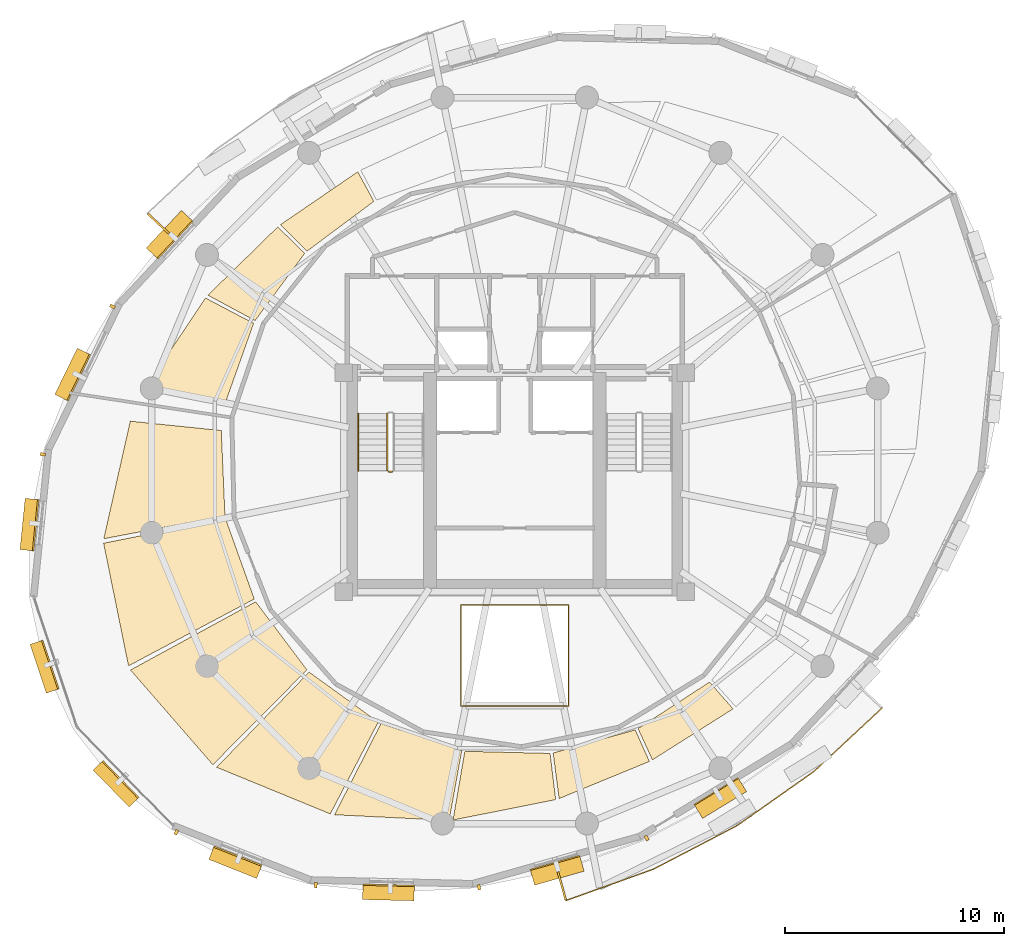
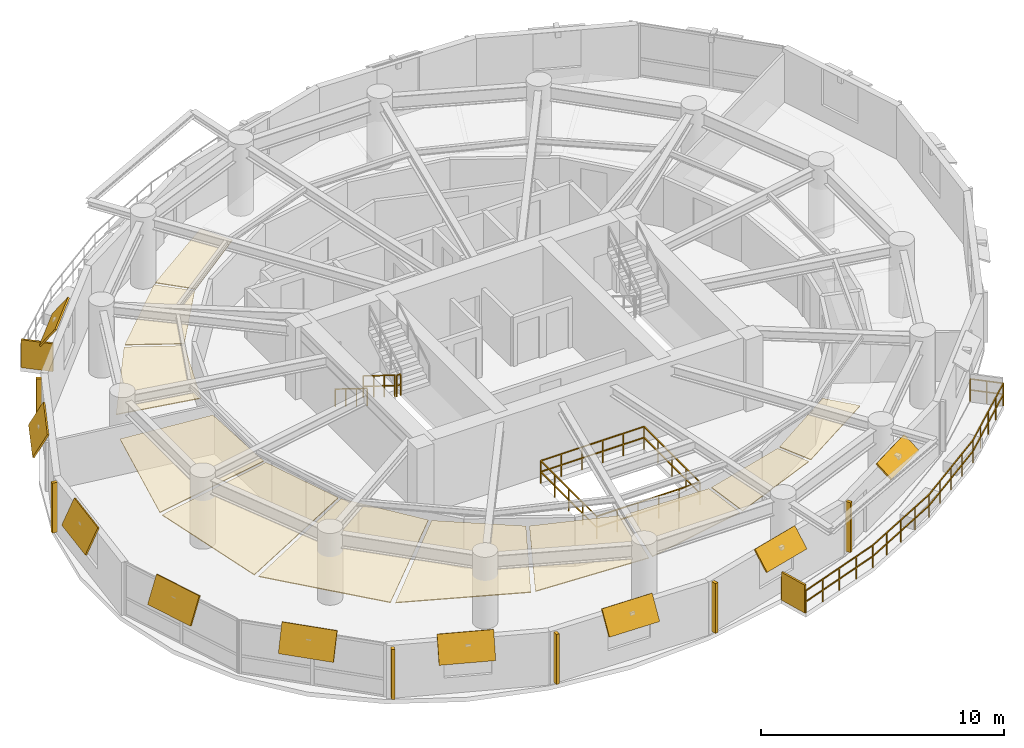
# One storey, part 13 of 15: 17 shading devices, 11 coverings, 5 railings.
"""IFC4 building model written with IfcOpenShell, lengths in metres."""

import ifcopenshell
import ifcopenshell.guid

model = None  # the IFC model being written
_history = None  # IfcOwnerHistory: only IFC2X3 demands one
_inside = {}  # id of a spatial element -> (the spatial element, [elements in it])
_under = {}  # id of a project, library or spatial element -> (it, [spatial elements below it])
_declared = {}  # id of a project -> (the project, [libraries it declares])
_typed = {}  # id of a type object -> (the type object, [elements of that type])
_made_of = {}  # id of a material, layer set ... -> (it, [elements and type objects made of it])


def new_model(schema):
    """Start an empty IFC model of exactly this schema.

    Asked for "IFC4X3", IfcOpenShell would pick the latest addendum, in which some entities
    have other attributes; the version numbers below select the first issue.
    IFC2X3 requires an IfcOwnerHistory on every rooted entity: one is made here for all.
    """
    global model, _history
    if schema == "IFC4X3":
        model = ifcopenshell.file(schema_version=(4, 3, 0, 0))
    else:
        model = ifcopenshell.file(schema=schema)
    _inside.clear()
    _under.clear()
    _declared.clear()
    _typed.clear()
    _made_of.clear()
    _history = None
    if model.schema == "IFC2X3":
        org = make("IfcOrganization", Name="unknown")
        user = make(
            "IfcPersonAndOrganization",
            ThePerson=make("IfcPerson", FamilyName="unknown"),
            TheOrganization=org,
        )
        app = make(
            "IfcApplication",
            ApplicationDeveloper=org,
            Version="unknown",
            ApplicationFullName="unknown",
            ApplicationIdentifier="unknown",
        )
        _history = make(
            "IfcOwnerHistory",
            OwningUser=user,
            OwningApplication=app,
            ChangeAction="ADDED",
            CreationDate=0,
        )
    return model


def make(cls, **values):
    """One entity of the class cls with the attributes given. An attribute that is None is left unset."""
    return model.create_entity(
        cls, **{name: value for name, value in values.items() if value is not None}
    )


def rooted(cls, **values):
    """An entity with a GlobalId (a new one), such as an element, a storey or a relation."""
    return make(cls, GlobalId=ifcopenshell.guid.new(), OwnerHistory=_history, **values)


def si_unit(unit_type, name, prefix=None):
    """IfcSIUnit, for example si_unit("LENGTHUNIT", "METRE", prefix="MILLI")."""
    return make("IfcSIUnit", UnitType=unit_type, Prefix=prefix, Name=name)


def assignment(units):
    """IfcUnitAssignment: the units of a project."""
    return None if units is None else make("IfcUnitAssignment", Units=units)


def point(xyz):
    """IfcCartesianPoint."""
    return None if xyz is None else make("IfcCartesianPoint", Coordinates=xyz)


def direction(xyz):
    """IfcDirection."""
    return None if xyz is None else make("IfcDirection", DirectionRatios=xyz)


def frame(location, z_axis=None, x_axis=None):
    """IfcAxis2Placement3D, a coordinate frame: its origin and axes. An axis left out is left unset."""
    return make(
        "IfcAxis2Placement3D",
        Location=point(location),
        Axis=direction(z_axis),
        RefDirection=direction(x_axis),
    )


def frame_2d(location, x_axis=None):
    """IfcAxis2Placement2D, a coordinate frame in the plane: its origin and x axis."""
    return make(
        "IfcAxis2Placement2D", Location=point(location), RefDirection=direction(x_axis)
    )


def origin():
    """The frame at (0, 0, 0) with its axes left unset."""
    return frame((0.0, 0.0, 0.0))


def origin_2d():
    """The frame at (0, 0) in the plane with its x axis left unset."""
    return frame_2d((0.0, 0.0))


def place(relative_to, where):
    """IfcLocalPlacement: puts the frame where relative to a parent placement (None: the world)."""
    return make(
        "IfcLocalPlacement", PlacementRelTo=relative_to, RelativePlacement=where
    )


def context(
    kind, dimensions, precision=None, world=None, true_north=None, identifier=None
):
    """IfcGeometricRepresentationContext, for example the 3D "Model" context."""
    return make(
        "IfcGeometricRepresentationContext",
        ContextIdentifier=identifier,
        ContextType=kind,
        CoordinateSpaceDimension=dimensions,
        Precision=precision,
        WorldCoordinateSystem=world,
        TrueNorth=true_north,
    )


def subcontext(parent, identifier, kind, view, scale=None):
    """IfcGeometricRepresentationSubContext, for example "Body" below "Model"."""
    return make(
        "IfcGeometricRepresentationSubContext",
        ContextIdentifier=identifier,
        ContextType=kind,
        ParentContext=parent,
        TargetScale=scale,
        TargetView=view,
    )


def project(units=None, contexts=None):
    """IfcProject with its units and contexts."""
    return rooted(
        "IfcProject",
        Name="project",
        RepresentationContexts=contexts,
        UnitsInContext=assignment(units),
    )


def spatial(cls, under=None, at=None, **own):
    """A site, building, storey or space (cls), placed at a placement, below another one or the project."""
    s = rooted(cls, ObjectPlacement=at, **own)
    if under is not None:
        _under.setdefault(under.id(), (under, []))[1].append(s)
    return s


def polyline(points):
    """IfcPolyline through the points."""
    return make("IfcPolyline", Points=[point(p) for p in points])


def profile(cls, at=None, kind="AREA", **sizes):
    """A parametric profile (cls). Its sizes go by their IFC names, for example OverallWidth=200.0."""
    return make(cls, ProfileType=kind, Position=at, **sizes)


def rectangle(**sizes):
    """IfcRectangleProfileDef."""
    return profile("IfcRectangleProfileDef", **sizes)


def outline(outer, holes=None, kind="AREA"):
    """IfcArbitraryClosedProfileDef: a profile drawn as a closed curve; with holes, ...WithVoids."""
    if holes is None:
        return make("IfcArbitraryClosedProfileDef", ProfileType=kind, OuterCurve=outer)
    return make(
        "IfcArbitraryProfileDefWithVoids",
        ProfileType=kind,
        OuterCurve=outer,
        InnerCurves=holes,
    )


def extrude(swept, where, along, depth):
    """IfcExtrudedAreaSolid: the profile swept, set in the frame where, extruded along a direction by depth."""
    return make(
        "IfcExtrudedAreaSolid",
        SweptArea=swept,
        Position=where,
        ExtrudedDirection=direction(along),
        Depth=depth,
    )


def shape(context_of_items, identifier, shape_type, items):
    """IfcShapeRepresentation: the items that make up one representation, for example the "Body"."""
    return make(
        "IfcShapeRepresentation",
        ContextOfItems=context_of_items,
        RepresentationIdentifier=identifier,
        RepresentationType=shape_type,
        Items=items,
    )


def material(Name=None, Category=None):
    """IfcMaterial."""
    return make("IfcMaterial", Name=Name, Category=Category)


def layer(
    of_material, thickness, ventilated=None, Name=None, Category=None, Priority=None
):
    """IfcMaterialLayer: one layer of a wall or slab, of a material (None: an air gap)."""
    return make(
        "IfcMaterialLayer",
        Material=of_material,
        LayerThickness=thickness,
        IsVentilated=ventilated,
        Name=Name,
        Category=Category,
        Priority=Priority,
    )


def layer_set(layers, Name=None):
    """IfcMaterialLayerSet."""
    return make("IfcMaterialLayerSet", MaterialLayers=layers, LayerSetName=Name)


def made_of(thing, what):
    """Note that an element or type object is made of a material, layer set ...; save() writes the relation."""
    if what is not None:
        _made_of.setdefault(what.id(), (what, []))[1].append(thing)
    return thing


def type_object(cls, material=None, **own):
    """A type object (cls), such as IfcWallType, which elements share."""
    return made_of(rooted(cls, **own), material)


def element(
    cls,
    number,
    at=None,
    inside=None,
    cuts=None,
    type_object=None,
    material=None,
    context=None,
    identifier="Body",
    shape_type=None,
    held_by="IfcProductDefinitionShape",
    body=None,
    shapes=None,
    **own,
):
    """One element of the class cls, such as IfcWall. Its Tag is "e" and its number.

    at: its placement. inside: the storey or other place that contains it. cuts: it is an
    opening in that element (IfcRelVoidsElement). A single representation is given by context,
    identifier, shape_type and body (its items); several are given by shapes. held_by: the class
    of the entity that holds the representations. save() writes the other relations.
    """
    e = rooted(cls, Tag="e%d" % number, ObjectPlacement=at, **own)
    if body is not None:
        shapes = [shape(context, identifier, shape_type, body)]
    if shapes is not None:
        e.Representation = make(held_by, Representations=shapes)
    if inside is not None:
        _inside.setdefault(inside.id(), (inside, []))[1].append(e)
    if cuts is not None:
        rooted(
            "IfcRelVoidsElement", RelatingBuildingElement=cuts, RelatedOpeningElement=e
        )
    if type_object is not None:
        _typed.setdefault(type_object.id(), (type_object, []))[1].append(e)
    return made_of(e, material)


def aggregate(whole, parts):
    """IfcRelAggregates: a whole, such as a stair, and the parts it consists of."""
    return rooted("IfcRelAggregates", RelatingObject=whole, RelatedObjects=parts)


def save(model, path):
    """Write the relations noted so far, then the file.

    IfcRelAggregates (storeys below a building ...), IfcRelContainedInSpatialStructure (elements
    in a storey), IfcRelDefinesByType, IfcRelAssociatesMaterial and IfcRelDeclares: one each for
    every whole, place, type object, material and project.
    """
    for whole, parts in _under.values():
        aggregate(whole, parts)
    for where, things in _inside.values():
        rooted(
            "IfcRelContainedInSpatialStructure",
            RelatedElements=things,
            RelatingStructure=where,
        )
    for kind, things in _typed.values():
        rooted("IfcRelDefinesByType", RelatedObjects=things, RelatingType=kind)
    for what, things in _made_of.values():
        rooted("IfcRelAssociatesMaterial", RelatedObjects=things, RelatingMaterial=what)
    for by, libraries in _declared.values():
        rooted("IfcRelDeclares", RelatingContext=by, RelatedDefinitions=libraries)
    model.write(path)


model = new_model("IFC4")

# Units and contexts
model_context = context("Model", 3, precision=1e-05, world=origin(), true_north=direction((0.0, 1.0)))
body_context = subcontext(model_context, "Body", "Model", "MODEL_VIEW")
ifc_project = project(units=[si_unit("LENGTHUNIT", "METRE"), si_unit("AREAUNIT", "SQUARE_METRE"), si_unit("VOLUMEUNIT", "CUBIC_METRE"), si_unit("PLANEANGLEUNIT", "RADIAN"), si_unit("MASSUNIT", "GRAM", prefix="KILO"), si_unit("THERMODYNAMICTEMPERATUREUNIT", "KELVIN"), si_unit("POWERUNIT", "WATT")], contexts=[model_context])

# Site, building, storey
site_placement = place(None, origin())
site = spatial("IfcSite", under=ifc_project, at=site_placement, CompositionType="ELEMENT")
building_placement = place(site_placement, origin())
building = spatial("IfcBuilding", under=site, at=building_placement, Name="Ocrelia Relay Tower", CompositionType="ELEMENT")
storey_placement = place(building_placement, frame((0.0, 0.0, 166.39990234375)))
storey = spatial("IfcBuildingStorey", under=building, at=storey_placement, Name="L39", CompositionType="ELEMENT", Elevation=166.39990234375)

# Coverings
ifc_material_1 = material(Name="Mineral-fiber acoustic ceiling tile", Category="gypsum")
ifc_layer_1 = layer(ifc_material_1, 0.0400390625, Name="Mineral-fiber acoustic ceiling tile")
ifc_layer_set_1 = layer_set([ifc_layer_1], Name="Mineral-fiber acoustic ceiling tile")
covering_type_1 = type_object("IfcCoveringType", Name="COV-CEIL-ACOUSTIC", PredefinedType="CEILING", material=ifc_layer_set_1)
covering_1_placement = place(storey_placement, frame((0.0, 0.0, 2.380126953125)))
element("IfcCovering", 1, at=covering_1_placement, inside=storey, type_object=covering_type_1, Name="L39 Cloud Engineering Workspace Suspended Ceiling 6", PredefinedType="CEILING", context=body_context, shape_type="SweptSolid", body=[
    extrude(outline(polyline([(27.5673828125, 37.8349609375), (26.8330078125, 39.18603515625), (23.302978515625, 36.771728515625), (24.508544921875, 35.557861328125), (27.5673828125, 37.8349609375)])), origin(), (0.0, 0.0, 1.0), 0.0400390625),
])
covering_2_placement = place(storey_placement, frame((0.0, 0.0, 2.380126953125)))
element("IfcCovering", 2, at=covering_2_placement, inside=storey, type_object=covering_type_1, Name="L39 Cloud Engineering Workspace Suspended Ceiling 7", PredefinedType="CEILING", context=body_context, shape_type="SweptSolid", body=[
    extrude(outline(polyline([(24.408935546875, 35.4580078125), (23.17919921875, 36.6708984375), (19.99169921875, 33.550537109375), (22.142822265625, 32.39111328125), (24.408935546875, 35.4580078125)])), origin(), (0.0, 0.0, 1.0), 0.0400390625),
])
covering_3_placement = place(storey_placement, frame((0.0, 0.0, 2.380126953125)))
element("IfcCovering", 3, at=covering_3_placement, inside=storey, type_object=covering_type_1, Name="L39 Cloud Engineering Workspace Suspended Ceiling 8", PredefinedType="CEILING", context=body_context, shape_type="SweptSolid", body=[
    extrude(outline(polyline([(22.076416015625, 32.2666015625), (19.88134765625, 33.42041015625), (17.185546875, 29.405517578125), (20.798095703125, 28.674072265625), (22.076416015625, 32.2666015625)])), origin(), (0.0, 0.0, 1.0), 0.0400390625),
])
ifc_material_2 = material(Name="Cleanroom metal-pan acoustic ceiling", Category="aluminium")
ifc_layer_2 = layer(ifc_material_2, 0.0400390625, Name="Cleanroom metal-pan acoustic ceiling")
ifc_layer_set_2 = layer_set([ifc_layer_2], Name="Cleanroom metal-pan acoustic ceiling")
covering_type_2 = type_object("IfcCoveringType", Name="COV-CEIL-CLEAN", PredefinedType="CEILING", material=ifc_layer_set_2)
covering_4_placement = place(storey_placement, frame((0.0, 0.0, 2.380126953125)))
element("IfcCovering", 4, at=covering_4_placement, inside=storey, type_object=covering_type_2, Name="L39 Protocol Simulation Studio Suspended Ceiling 1", PredefinedType="CEILING", context=body_context, shape_type="SweptSolid", body=[
    extrude(outline(polyline([(20.60009765625, 27.372802734375), (16.44384765625, 27.798828125), (15.2333984375, 22.429443359375), (20.767333984375, 23.482421875), (20.60009765625, 27.372802734375)])), origin(), (0.0, 0.0, 1.0), 0.0400390625),
])
covering_5_placement = place(storey_placement, frame((0.0, 0.0, 2.380126953125)))
element("IfcCovering", 5, at=covering_5_placement, inside=storey, type_object=covering_type_2, Name="L39 Protocol Simulation Studio Suspended Ceiling 2", PredefinedType="CEILING", context=body_context, shape_type="SweptSolid", body=[
    extrude(outline(polyline([(20.79443359375, 23.343994140625), (15.226318359375, 22.22412109375), (16.363525390625, 16.624755859375), (22.106201171875, 19.677490234375), (20.79443359375, 23.343994140625)])), origin(), (0.0, 0.0, 1.0), 0.0400390625),
])
covering_6_placement = place(storey_placement, frame((0.0, 0.0, 2.380126953125)))
element("IfcCovering", 6, at=covering_6_placement, inside=storey, type_object=covering_type_2, Name="L39 Protocol Simulation Studio Suspended Ceiling 3", PredefinedType="CEILING", context=body_context, shape_type="SweptSolid", body=[
    extrude(outline(polyline([(22.1728515625, 19.55322265625), (16.455078125, 16.4365234375), (20.216064453125, 12.111328125), (24.511474609375, 16.439208984375), (22.1728515625, 19.55322265625)])), origin(), (0.0, 0.0, 1.0), 0.0400390625),
])
covering_7_placement = place(storey_placement, frame((0.0, 0.0, 2.380126953125)))
element("IfcCovering", 7, at=covering_7_placement, inside=storey, type_object=covering_type_2, Name="L39 Protocol Simulation Studio Suspended Ceiling 4", PredefinedType="CEILING", context=body_context, shape_type="SweptSolid", body=[
    extrude(outline(polyline([(24.612060546875, 16.340576171875), (20.38720703125, 11.99365234375), (25.578369140625, 9.864013671875), (27.767578125, 14.05859375), (24.612060546875, 16.340576171875)])), origin(), (0.0, 0.0, 1.0), 0.0400390625),
])
covering_8_placement = place(storey_placement, frame((0.0, 0.0, 2.380126953125)))
element("IfcCovering", 8, at=covering_8_placement, inside=storey, type_object=covering_type_2, Name="L39 Protocol Simulation Studio Suspended Ceiling 5", PredefinedType="CEILING", context=body_context, shape_type="SweptSolid", body=[
    extrude(outline(polyline([(27.892822265625, 13.993896484375), (25.772216796875, 9.8251953125), (31.002197265625, 9.568115234375), (31.58251953125, 12.748779296875), (27.892822265625, 13.993896484375)])), origin(), (0.0, 0.0, 1.0), 0.0400390625),
])
covering_9_placement = place(storey_placement, frame((0.0, 0.0, 2.380126953125)))
element("IfcCovering", 9, at=covering_9_placement, inside=storey, type_object=covering_type_2, Name="L39 Protocol Simulation Studio Suspended Ceiling 6", PredefinedType="CEILING", context=body_context, shape_type="SweptSolid", body=[
    extrude(outline(polyline([(31.721435546875, 12.72412109375), (31.1826171875, 9.583984375), (35.869140625, 10.515869140625), (35.614501953125, 12.627197265625), (31.721435546875, 12.72412109375)])), origin(), (0.0, 0.0, 1.0), 0.0400390625),
])
covering_10_placement = place(storey_placement, frame((0.0, 0.0, 2.380126953125)))
element("IfcCovering", 10, at=covering_10_placement, inside=storey, type_object=covering_type_2, Name="L39 Protocol Simulation Studio Suspended Ceiling 7", PredefinedType="CEILING", context=body_context, shape_type="SweptSolid", body=[
    extrude(outline(polyline([(35.75439453125, 12.644775390625), (36.027587890625, 10.564697265625), (40.147705078125, 12.26025390625), (39.50146484375, 13.70458984375), (35.75439453125, 12.644775390625)])), origin(), (0.0, 0.0, 1.0), 0.0400390625),
])
covering_11_placement = place(storey_placement, frame((0.0, 0.0, 2.380126953125)))
element("IfcCovering", 11, at=covering_11_placement, inside=storey, type_object=covering_type_2, Name="L39 Protocol Simulation Studio Suspended Ceiling 8", PredefinedType="CEILING", context=body_context, shape_type="SweptSolid", body=[
    extrude(outline(polyline([(39.6298828125, 13.762939453125), (40.287841796875, 12.3330078125), (43.97119140625, 14.6611328125), (42.89501953125, 15.884765625), (39.6298828125, 13.762939453125)])), origin(), (0.0, 0.0, 1.0), 0.0400390625),
])

# Railings
ifc_material_3 = material(Name="Steel S355 balustrade", Category="steel")
railing_type_1 = type_object("IfcRailingType", Name="RL-EXT-GUARD-1150", PredefinedType="GUARDRAIL", material=ifc_material_3)
railing_1_placement = place(storey_placement, frame((49.76416015625, 15.653564453125, 0.0)))
element("IfcRailing", 12, at=railing_1_placement, inside=storey, type_object=railing_type_1, Name="L39 Loggia Balcony Guard Rail B2", PredefinedType="GUARDRAIL", context=body_context, shape_type="SweptSolid", body=[
    extrude(rectangle(XDim=0.048095703125, YDim=0.048095703125, at=origin_2d()), frame((0.0, 0.0, 1.1259765625), z_axis=(0.731294097738, -0.6820622718, 0.0), x_axis=(0.6820622718, 0.731294097738, 0.0)), (0.0, 0.0, 1.0), 1.3935546875),
    extrude(rectangle(XDim=0.048095703125, YDim=0.048095703125, at=origin_2d()), frame((0.0, 0.0, 0.574951171875), z_axis=(0.731294097738, -0.6820622718, 0.0), x_axis=(0.6820622718, 0.731294097738, 0.0)), (0.0, 0.0, 1.0), 1.3935546875),
    extrude(rectangle(XDim=0.048095703125, YDim=0.048095703125, at=origin_2d()), frame((1.01904296875, -0.950439453125, 1.1259765625), z_axis=(-0.731856461908, -0.681458816924, 0.0), x_axis=(0.681458816924, -0.731856461908, 0.0)), (0.0, 0.0, 1.0), 2.126708984375),
    extrude(rectangle(XDim=0.048095703125, YDim=0.048095703125, at=origin_2d()), frame((1.01904296875, -0.950439453125, 0.574951171875), z_axis=(-0.731856461908, -0.681458816924, 0.0), x_axis=(0.681458816924, -0.731856461908, 0.0)), (0.0, 0.0, 1.0), 2.126708984375),
    extrude(rectangle(XDim=0.048095703125, YDim=0.048095703125, at=origin_2d()), frame((-0.537353515625, -2.399658203125, 1.1259765625), z_axis=(-0.731745884926, -0.68157755237, 0.0), x_axis=(0.68157755237, -0.731745884926, 0.0)), (0.0, 0.0, 1.0), 2.126708984375),
    extrude(rectangle(XDim=0.048095703125, YDim=0.048095703125, at=origin_2d()), frame((-0.537353515625, -2.399658203125, 0.574951171875), z_axis=(-0.731745884926, -0.68157755237, 0.0), x_axis=(0.68157755237, -0.731745884926, 0.0)), (0.0, 0.0, 1.0), 2.126708984375),
    extrude(rectangle(XDim=0.048095703125, YDim=0.048095703125, at=origin_2d()), frame((-2.093505859375, -3.84912109375, 1.1259765625), z_axis=(-0.817271506757, -0.576252795432, 0.0), x_axis=(0.576252795432, -0.817271506757, 0.0)), (0.0, 0.0, 1.0), 4.299072265625),
    extrude(rectangle(XDim=0.048095703125, YDim=0.048095703125, at=origin_2d()), frame((-2.093505859375, -3.84912109375, 0.574951171875), z_axis=(-0.817271506757, -0.576252795432, 0.0), x_axis=(0.576252795432, -0.817271506757, 0.0)), (0.0, 0.0, 1.0), 4.299072265625),
    extrude(rectangle(XDim=0.048095703125, YDim=0.048095703125, at=origin_2d()), frame((-5.60693359375, -6.326416015625, 1.1259765625), z_axis=(-0.88692280877, -0.461917667213, 0.0), x_axis=(0.461917667213, -0.88692280877, 0.0)), (0.0, 0.0, 1.0), 4.299072265625),
    extrude(rectangle(XDim=0.048095703125, YDim=0.048095703125, at=origin_2d()), frame((-5.60693359375, -6.326416015625, 0.574951171875), z_axis=(-0.88692280877, -0.461917667213, 0.0), x_axis=(0.461917667213, -0.88692280877, 0.0)), (0.0, 0.0, 1.0), 4.299072265625),
    extrude(rectangle(XDim=0.048095703125, YDim=0.048095703125, at=origin_2d()), frame((-9.419921875, -8.312255859375, 1.1259765625), z_axis=(-0.941239592632, -0.33773958794, 0.0), x_axis=(0.33773958794, -0.941239592632, 0.0)), (0.0, 0.0, 1.0), 2.126708984375),
    extrude(rectangle(XDim=0.048095703125, YDim=0.048095703125, at=origin_2d()), frame((-9.419921875, -8.312255859375, 0.574951171875), z_axis=(-0.941239592632, -0.33773958794, 0.0), x_axis=(0.33773958794, -0.941239592632, 0.0)), (0.0, 0.0, 1.0), 2.126708984375),
    extrude(rectangle(XDim=0.048095703125, YDim=0.048095703125, at=origin_2d()), frame((-11.421630859375, -9.030517578125, 1.1259765625), z_axis=(-0.941239592632, -0.33773958794, 0.0), x_axis=(0.33773958794, -0.941239592632, 0.0)), (0.0, 0.0, 1.0), 2.126708984375),
    extrude(rectangle(XDim=0.048095703125, YDim=0.048095703125, at=origin_2d()), frame((-11.421630859375, -9.030517578125, 0.574951171875), z_axis=(-0.941239592632, -0.33773958794, 0.0), x_axis=(0.33773958794, -0.941239592632, 0.0)), (0.0, 0.0, 1.0), 2.126708984375),
    extrude(rectangle(XDim=0.048095703125, YDim=0.048095703125, at=origin_2d()), frame((-13.42333984375, -9.748779296875, 1.1259765625), z_axis=(-0.270669475179, 0.962672340522, 0.0), x_axis=(-0.962672340522, -0.270669475179, 0.0)), (0.0, 0.0, 1.0), 1.3935546875),
    extrude(rectangle(XDim=0.048095703125, YDim=0.048095703125, at=origin_2d()), frame((-13.42333984375, -9.748779296875, 0.574951171875), z_axis=(-0.270669475179, 0.962672340522, 0.0), x_axis=(-0.962672340522, -0.270669475179, 0.0)), (0.0, 0.0, 1.0), 1.3935546875),
    extrude(rectangle(XDim=0.0419921875, YDim=0.0419921875, at=origin_2d()), origin(), (0.0, 0.0, 1.0), 1.101806640625),
    extrude(rectangle(XDim=0.0419921875, YDim=0.0419921875, at=origin_2d()), frame((0.509521484375, -0.47509765625, 0.0)), (0.0, 0.0, 1.0), 1.101806640625),
    extrude(rectangle(XDim=0.0419921875, YDim=0.0419921875, at=origin_2d()), frame((1.01904296875, -0.950439453125, 0.0)), (0.0, 0.0, 1.0), 1.101806640625),
    extrude(rectangle(XDim=0.0419921875, YDim=0.0419921875, at=origin_2d()), frame((0.24072265625, -1.675048828125, 0.0)), (0.0, 0.0, 1.0), 1.101806640625),
    extrude(rectangle(XDim=0.0419921875, YDim=0.0419921875, at=origin_2d()), frame((-0.537353515625, -2.399658203125, 0.0)), (0.0, 0.0, 1.0), 1.101806640625),
    extrude(rectangle(XDim=0.0419921875, YDim=0.0419921875, at=origin_2d()), frame((-1.3154296875, -3.12451171875, 0.0)), (0.0, 0.0, 1.0), 1.101806640625),
    extrude(rectangle(XDim=0.0419921875, YDim=0.0419921875, at=origin_2d()), frame((-2.093505859375, -3.84912109375, 0.0)), (0.0, 0.0, 1.0), 1.101806640625),
    extrude(rectangle(XDim=0.0419921875, YDim=0.0419921875, at=origin_2d()), frame((-2.971923828125, -4.468505859375, 0.0)), (0.0, 0.0, 1.0), 1.101806640625),
    extrude(rectangle(XDim=0.0419921875, YDim=0.0419921875, at=origin_2d()), frame((-3.85009765625, -5.087890625, 0.0)), (0.0, 0.0, 1.0), 1.101806640625),
    extrude(rectangle(XDim=0.0419921875, YDim=0.0419921875, at=origin_2d()), frame((-4.728515625, -5.70703125, 0.0)), (0.0, 0.0, 1.0), 1.101806640625),
    extrude(rectangle(XDim=0.0419921875, YDim=0.0419921875, at=origin_2d()), frame((-5.60693359375, -6.326416015625, 0.0)), (0.0, 0.0, 1.0), 1.101806640625),
    extrude(rectangle(XDim=0.0419921875, YDim=0.0419921875, at=origin_2d()), frame((-6.56005859375, -6.82275390625, 0.0)), (0.0, 0.0, 1.0), 1.101806640625),
    extrude(rectangle(XDim=0.0419921875, YDim=0.0419921875, at=origin_2d()), frame((-7.513427734375, -7.3193359375, 0.0)), (0.0, 0.0, 1.0), 1.101806640625),
    extrude(rectangle(XDim=0.0419921875, YDim=0.0419921875, at=origin_2d()), frame((-8.466796875, -7.81591796875, 0.0)), (0.0, 0.0, 1.0), 1.101806640625),
    extrude(rectangle(XDim=0.0419921875, YDim=0.0419921875, at=origin_2d()), frame((-9.419921875, -8.312255859375, 0.0)), (0.0, 0.0, 1.0), 1.101806640625),
    extrude(rectangle(XDim=0.0419921875, YDim=0.0419921875, at=origin_2d()), frame((-10.4208984375, -8.67138671875, 0.0)), (0.0, 0.0, 1.0), 1.101806640625),
    extrude(rectangle(XDim=0.0419921875, YDim=0.0419921875, at=origin_2d()), frame((-11.421630859375, -9.030517578125, 0.0)), (0.0, 0.0, 1.0), 1.101806640625),
    extrude(rectangle(XDim=0.0419921875, YDim=0.0419921875, at=origin_2d()), frame((-12.42236328125, -9.3896484375, 0.0)), (0.0, 0.0, 1.0), 1.101806640625),
    extrude(rectangle(XDim=0.0419921875, YDim=0.0419921875, at=origin_2d()), frame((-13.42333984375, -9.748779296875, 0.0)), (0.0, 0.0, 1.0), 1.101806640625),
    extrude(rectangle(XDim=0.0419921875, YDim=0.0419921875, at=origin_2d()), frame((-13.61181640625, -9.078125, 0.0)), (0.0, 0.0, 1.0), 1.101806640625),
    extrude(rectangle(XDim=0.0419921875, YDim=0.0419921875, at=origin_2d()), frame((-13.800537109375, -8.4072265625, 0.0)), (0.0, 0.0, 1.0), 1.101806640625),
])
ifc_material_4 = material(Name="Steel S355 atrium balustrade", Category="steel")
railing_type_2 = type_object("IfcRailingType", Name="RL-INT-GUARD-115", PredefinedType="GUARDRAIL", material=ifc_material_4)
railing_2_placement = place(storey_placement, frame((31.550048828125, 14.800048828125, 0.0)))
element("IfcRailing", 13, at=railing_2_placement, inside=storey, type_object=railing_type_2, Name="L39 Multi-Zone Interior Atrium Guard", PredefinedType="GUARDRAIL", context=body_context, shape_type="SweptSolid", body=[
    extrude(rectangle(XDim=0.048095703125, YDim=0.048095703125, at=origin_2d()), frame((0.0, 0.0, 1.1259765625), z_axis=(1.0, 0.0, 0.0), x_axis=(0.0, 1.0, 0.0)), (0.0, 0.0, 1.0), 4.89990234375),
    extrude(rectangle(XDim=0.048095703125, YDim=0.048095703125, at=origin_2d()), frame((0.0, 0.0, 0.574951171875), z_axis=(1.0, 0.0, 0.0), x_axis=(0.0, 1.0, 0.0)), (0.0, 0.0, 1.0), 4.89990234375),
    extrude(rectangle(XDim=0.048095703125, YDim=0.048095703125, at=origin_2d()), frame((4.89990234375, 0.0, 1.1259765625), z_axis=(0.0, 1.0, 0.0), x_axis=(-1.0, 0.0, 0.0)), (0.0, 0.0, 1.0), 4.599853515625),
    extrude(rectangle(XDim=0.048095703125, YDim=0.048095703125, at=origin_2d()), frame((4.89990234375, 0.0, 0.574951171875), z_axis=(0.0, 1.0, 0.0), x_axis=(-1.0, 0.0, 0.0)), (0.0, 0.0, 1.0), 4.599853515625),
    extrude(rectangle(XDim=0.048095703125, YDim=0.048095703125, at=origin_2d()), frame((4.89990234375, 4.599853515625, 1.1259765625), z_axis=(-1.0, 0.0, 0.0), x_axis=(0.0, -1.0, 0.0)), (0.0, 0.0, 1.0), 4.89990234375),
    extrude(rectangle(XDim=0.048095703125, YDim=0.048095703125, at=origin_2d()), frame((4.89990234375, 4.599853515625, 0.574951171875), z_axis=(-1.0, 0.0, 0.0), x_axis=(0.0, -1.0, 0.0)), (0.0, 0.0, 1.0), 4.89990234375),
    extrude(rectangle(XDim=0.048095703125, YDim=0.048095703125, at=origin_2d()), frame((0.0, 4.599853515625, 1.1259765625), z_axis=(0.0, -1.0, 0.0), x_axis=(1.0, 0.0, 0.0)), (0.0, 0.0, 1.0), 4.599853515625),
    extrude(rectangle(XDim=0.048095703125, YDim=0.048095703125, at=origin_2d()), frame((0.0, 4.599853515625, 0.574951171875), z_axis=(0.0, -1.0, 0.0), x_axis=(1.0, 0.0, 0.0)), (0.0, 0.0, 1.0), 4.599853515625),
    extrude(rectangle(XDim=0.0419921875, YDim=0.0419921875, at=origin_2d()), origin(), (0.0, 0.0, 1.0), 1.101806640625),
    extrude(rectangle(XDim=0.0419921875, YDim=0.0419921875, at=origin_2d()), frame((0.97998046875, 0.0, 0.0)), (0.0, 0.0, 1.0), 1.101806640625),
    extrude(rectangle(XDim=0.0419921875, YDim=0.0419921875, at=origin_2d()), frame((1.9599609375, 0.0, 0.0)), (0.0, 0.0, 1.0), 1.101806640625),
    extrude(rectangle(XDim=0.0419921875, YDim=0.0419921875, at=origin_2d()), frame((2.93994140625, 0.0, 0.0)), (0.0, 0.0, 1.0), 1.101806640625),
    extrude(rectangle(XDim=0.0419921875, YDim=0.0419921875, at=origin_2d()), frame((3.919921875, 0.0, 0.0)), (0.0, 0.0, 1.0), 1.101806640625),
    extrude(rectangle(XDim=0.0419921875, YDim=0.0419921875, at=origin_2d()), frame((4.89990234375, 0.0, 0.0)), (0.0, 0.0, 1.0), 1.101806640625),
    extrude(rectangle(XDim=0.0419921875, YDim=0.0419921875, at=origin_2d()), frame((4.89990234375, 1.14990234375, 0.0)), (0.0, 0.0, 1.0), 1.101806640625),
    extrude(rectangle(XDim=0.0419921875, YDim=0.0419921875, at=origin_2d()), frame((4.89990234375, 2.2998046875, 0.0)), (0.0, 0.0, 1.0), 1.101806640625),
    extrude(rectangle(XDim=0.0419921875, YDim=0.0419921875, at=origin_2d()), frame((4.89990234375, 3.449951171875, 0.0)), (0.0, 0.0, 1.0), 1.101806640625),
    extrude(rectangle(XDim=0.0419921875, YDim=0.0419921875, at=origin_2d()), frame((4.89990234375, 4.599853515625, 0.0)), (0.0, 0.0, 1.0), 1.101806640625),
    extrude(rectangle(XDim=0.0419921875, YDim=0.0419921875, at=origin_2d()), frame((3.919921875, 4.599853515625, 0.0)), (0.0, 0.0, 1.0), 1.101806640625),
    extrude(rectangle(XDim=0.0419921875, YDim=0.0419921875, at=origin_2d()), frame((2.93994140625, 4.599853515625, 0.0)), (0.0, 0.0, 1.0), 1.101806640625),
    extrude(rectangle(XDim=0.0419921875, YDim=0.0419921875, at=origin_2d()), frame((1.9599609375, 4.599853515625, 0.0)), (0.0, 0.0, 1.0), 1.101806640625),
    extrude(rectangle(XDim=0.0419921875, YDim=0.0419921875, at=origin_2d()), frame((0.97998046875, 4.599853515625, 0.0)), (0.0, 0.0, 1.0), 1.101806640625),
    extrude(rectangle(XDim=0.0419921875, YDim=0.0419921875, at=origin_2d()), frame((0.0, 4.599853515625, 0.0)), (0.0, 0.0, 1.0), 1.101806640625),
    extrude(rectangle(XDim=0.0419921875, YDim=0.0419921875, at=origin_2d()), frame((0.0, 3.449951171875, 0.0)), (0.0, 0.0, 1.0), 1.101806640625),
    extrude(rectangle(XDim=0.0419921875, YDim=0.0419921875, at=origin_2d()), frame((0.0, 2.2998046875, 0.0)), (0.0, 0.0, 1.0), 1.101806640625),
    extrude(rectangle(XDim=0.0419921875, YDim=0.0419921875, at=origin_2d()), frame((0.0, 1.14990234375, 0.0)), (0.0, 0.0, 1.0), 1.101806640625),
])
railing_type_3 = type_object("IfcRailingType", Name="RL-STAIR-GUARD", PredefinedType="GUARDRAIL", material=ifc_material_3)
railing_3_placement = place(storey_placement, frame((28.179931640625, 28.14990234375, 0.18017578125)))
element("IfcRailing", 14, at=railing_3_placement, inside=storey, type_object=railing_type_3, Name="L39 ST1 stair guard 1", PredefinedType="GUARDRAIL", context=body_context, shape_type="SweptSolid", body=[
    extrude(rectangle(XDim=0.048095703125, YDim=0.048095703125, at=origin_2d()), frame((0.0, 0.0, 1.076171875), z_axis=(0.0, -0.849646306263, 0.527352969322), x_axis=(1.0, 0.0, 0.0)), (0.0, 0.0, 1.0), 3.07177734375),
    extrude(rectangle(XDim=0.048095703125, YDim=0.048095703125, at=origin_2d()), frame((0.0, 0.0, 0.550048828125), z_axis=(0.0, -0.849646306263, 0.527352969322), x_axis=(1.0, 0.0, 0.0)), (0.0, 0.0, 1.0), 3.07177734375),
    extrude(rectangle(XDim=0.0419921875, YDim=0.0419921875, at=origin_2d()), origin(), (0.0, 0.0, 1.0), 1.052001953125),
    extrude(rectangle(XDim=0.0419921875, YDim=0.0419921875, at=origin_2d()), frame((0.0, -0.869873046875, 0.5400390625)), (0.0, 0.0, 1.0), 1.052001953125),
    extrude(rectangle(XDim=0.0419921875, YDim=0.0419921875, at=origin_2d()), frame((0.0, -1.739990234375, 1.079833984375)), (0.0, 0.0, 1.0), 1.052001953125),
    extrude(rectangle(XDim=0.0419921875, YDim=0.0419921875, at=origin_2d()), frame((0.0, -2.60986328125, 1.619873046875)), (0.0, 0.0, 1.0), 1.052001953125),
])
railing_4_placement = place(storey_placement, frame((28.22998046875, 25.489990234375, 1.800048828125)))
element("IfcRailing", 15, at=railing_4_placement, inside=storey, type_object=railing_type_3, Name="L39 ST1 stair guard 2", PredefinedType="GUARDRAIL", context=body_context, shape_type="SweptSolid", body=[
    extrude(rectangle(XDim=0.048095703125, YDim=0.048095703125, at=origin_2d()), frame((0.0, 0.0, 1.076171875), z_axis=(1.0, 0.0, 0.0), x_axis=(0.0, 1.0, 0.0)), (0.0, 0.0, 1.0), 0.199951171875),
    extrude(rectangle(XDim=0.048095703125, YDim=0.048095703125, at=origin_2d()), frame((0.0, 0.0, 0.550048828125), z_axis=(1.0, 0.0, 0.0), x_axis=(0.0, 1.0, 0.0)), (0.0, 0.0, 1.0), 0.199951171875),
    extrude(rectangle(XDim=0.0419921875, YDim=0.0419921875, at=origin_2d()), origin(), (0.0, 0.0, 1.0), 1.052001953125),
    extrude(rectangle(XDim=0.0419921875, YDim=0.0419921875, at=origin_2d()), frame((0.199951171875, 0.0, 0.0)), (0.0, 0.0, 1.0), 1.052001953125),
])
ifc_material_5 = material(Name="Steel S355 tubular handrail", Category="steel")
railing_type_4 = type_object("IfcRailingType", Name="RL-STAIR-HAND", PredefinedType="HANDRAIL", material=ifc_material_5)
railing_5_placement = place(storey_placement, frame((26.860107421875, 28.14990234375, 0.18017578125)))
element("IfcRailing", 16, at=railing_5_placement, inside=storey, type_object=railing_type_4, Name="L39 ST1 stair handrail 1", PredefinedType="HANDRAIL", context=body_context, shape_type="SweptSolid", body=[
    extrude(rectangle(XDim=0.048095703125, YDim=0.048095703125, at=origin_2d()), frame((0.0, 0.0, 0.8759765625), z_axis=(0.0, -0.849646306263, 0.527352969322), x_axis=(1.0, 0.0, 0.0)), (0.0, 0.0, 1.0), 3.07177734375),
    extrude(rectangle(XDim=0.0419921875, YDim=0.0419921875, at=origin_2d()), origin(), (0.0, 0.0, 1.0), 0.851806640625),
    extrude(rectangle(XDim=0.0419921875, YDim=0.0419921875, at=origin_2d()), frame((0.0, -0.869873046875, 0.5400390625)), (0.0, 0.0, 1.0), 0.851806640625),
    extrude(rectangle(XDim=0.0419921875, YDim=0.0419921875, at=origin_2d()), frame((0.0, -1.739990234375, 1.079833984375)), (0.0, 0.0, 1.0), 0.851806640625),
    extrude(rectangle(XDim=0.0419921875, YDim=0.0419921875, at=origin_2d()), frame((0.0, -2.60986328125, 1.619873046875)), (0.0, 0.0, 1.0), 0.851806640625),
])

# Shading devices
ifc_material_6 = material(Name="Perforated oxide terracotta solar screen", Category="masonry")
ifc_layer_3 = layer(ifc_material_6, 0.090087890625, Name="Perforated oxide terracotta solar screen")
ifc_layer_set_3 = layer_set([ifc_layer_3], Name="Perforated oxide terracotta solar screen")
shading_device_type_1 = type_object("IfcShadingDeviceType", Name="SH-BALC-SCREEN", PredefinedType="USERDEFINED", material=ifc_layer_set_3)
for number, where, z_axis, x_axis, name in (
    (17, (17.726318359375, 36.821533203125, 0.000244140625), (0.0, 0.0, 1.0), (-0.731293874764, 0.682062510869, 0.0), "L39 Balcony Perforated Terracotta Screen B1-2"),
    (18, (36.15234375, 6.57568359375, 0.000244140625), (0.0, 0.0, 1.0), (0.270699854449, -0.962663798427, 0.0), "L39 Balcony Perforated Terracotta Screen B2-1"),
):
    element("IfcShadingDevice", number, at=place(storey_placement, frame(where, z_axis=z_axis, x_axis=x_axis)), inside=storey, type_object=shading_device_type_1, Name=name, ObjectType="SCREEN", PredefinedType="USERDEFINED", context=body_context, shape_type="SweptSolid", body=[
        extrude(rectangle(XDim=1.340087890625, YDim=0.090087890625, at=origin_2d()), origin(), (0.0, 0.0, 1.0), 1.39990234375),
    ])
ifc_material_7 = material(Name="Extruded oxide terracotta vertical baguette", Category="masonry")
shading_device_type_2 = type_object("IfcShadingDeviceType", Name="SH-TERR-BAGUETTE", PredefinedType="USERDEFINED", material=ifc_material_7)
for number, where, z_axis, x_axis, name in (
    (19, (15.63134765625, 33.03662109375, 0.080078125), (0.0, 0.0, 1.0), (-0.437655374845, -0.899142798931, 0.0), "L39 Oxide Terracotta Vertical Baguette 07"),
    (20, (12.452880859375, 26.2841796875, 0.080078125), (0.0, 0.0, 1.0), (-0.099214537496, -0.995066065922, 0.0), "L39 Oxide Terracotta Vertical Baguette 08"),
    (21, (18.544921875, 9.029296875, 0.080078125), (0.0, 0.0, 1.0), (0.929736094537, -0.368226553246, 0.0), "L39 Oxide Terracotta Vertical Baguette 11"),
    (22, (24.912109375, 6.6123046875, 0.080078125), (0.0, 0.0, 1.0), (0.999724288476, -0.02348078005, 0.0), "L39 Oxide Terracotta Vertical Baguette 12"),
    (23, (32.36669921875, 6.518310546875, 0.080078125), (0.0, 0.0, 1.0), (0.962256921298, 0.272142641667, 0.0), "L39 Oxide Terracotta Vertical Baguette 13"),
    (24, (40.025634765625, 8.760009765625, 0.080078125), (0.0, 0.0, 1.0), (0.85400341468, 0.520267400204, 0.0), "L39 Oxide Terracotta Vertical Baguette 14"),
):
    element("IfcShadingDevice", number, at=place(storey_placement, frame(where, z_axis=z_axis, x_axis=x_axis)), inside=storey, type_object=shading_device_type_2, Name=name, ObjectType="BAGUETTE", PredefinedType="USERDEFINED", context=body_context, shape_type="SweptSolid", body=[
        extrude(rectangle(XDim=0.139892578125, YDim=0.239990234375, at=origin_2d()), origin(), (0.0, 0.0, 1.0), 2.5),
    ])
ifc_material_8 = material(Name="Extruded oxide terracotta fin", Category="masonry")
ifc_layer_4 = layer(ifc_material_8, 0.080078125, Name="Extruded oxide terracotta fin")
ifc_layer_set_4 = layer_set([ifc_layer_4], Name="Extruded oxide terracotta fin")
shading_device_type_3 = type_object("IfcShadingDeviceType", Name="SH-VISOR-FIN-DEEP", PredefinedType="USERDEFINED", material=ifc_layer_set_4)
shading_device_1_placement = place(storey_placement, frame((18.26904296875, 36.289306640625, 2.476806640625), z_axis=(-0.595624690149, 0.557214882107, 0.578569618666), x_axis=(-0.683168630663, -0.730260653519, 0.0)))
element("IfcShadingDevice", 25, at=shading_device_1_placement, inside=storey, type_object=shading_device_type_3, Name="L39 Canted Terracotta Sun-Visor Fin 06", ObjectType="FIN", PredefinedType="USERDEFINED", context=body_context, shape_type="SweptSolid", body=[
    extrude(rectangle(XDim=2.35009765625, YDim=1.160888671875, at=origin_2d()), origin(), (0.0, 0.0, 1.0), 0.080078125),
])
shading_device_2_placement = place(storey_placement, frame((13.8486328125, 29.9091796875, 2.48095703125), z_axis=(-0.78958226409, 0.384327074823, 0.478385354909), x_axis=(-0.437655374845, -0.899142798931, 0.0)))
element("IfcShadingDevice", 26, at=shading_device_2_placement, inside=storey, type_object=shading_device_type_3, Name="L39 Canted Terracotta Sun-Visor Fin 07", ObjectType="FIN", PredefinedType="USERDEFINED", context=body_context, shape_type="SweptSolid", body=[
    extrude(rectangle(XDim=2.35009765625, YDim=1.27392578125, at=origin_2d()), origin(), (0.0, 0.0, 1.0), 0.080078125),
])
shading_device_3_placement = place(storey_placement, frame((11.878662109375, 23.07080078125, 2.48291015625), z_axis=(-0.901027097056, 0.089838242673, 0.424357467855), x_axis=(-0.099214537496, -0.995066065922, 0.0)))
element("IfcShadingDevice", 27, at=shading_device_3_placement, inside=storey, type_object=shading_device_type_3, Name="L39 Canted Terracotta Sun-Visor Fin 08", ObjectType="FIN", PredefinedType="USERDEFINED", context=body_context, shape_type="SweptSolid", body=[
    extrude(rectangle(XDim=2.35009765625, YDim=1.33203125, at=origin_2d()), origin(), (0.0, 0.0, 1.0), 0.080078125),
])
shading_device_4_placement = place(storey_placement, frame((12.568359375, 16.6025390625, 2.483642578125), z_axis=(-0.866925988127, -0.287880028255, 0.406896080641), x_axis=(0.315148416844, -0.949042399138, 0.0)))
element("IfcShadingDevice", 28, at=shading_device_4_placement, inside=storey, type_object=shading_device_type_3, Name="L39 Canted Terracotta Sun-Visor Fin 09", ObjectType="FIN", PredefinedType="USERDEFINED", context=body_context, shape_type="SweptSolid", body=[
    extrude(rectangle(XDim=2.35009765625, YDim=1.35009765625, at=origin_2d()), origin(), (0.0, 0.0, 1.0), 0.080078125),
])
shading_device_5_placement = place(storey_placement, frame((15.822265625, 11.267333984375, 2.483154296875), z_axis=(-0.649776181805, -0.634754210095, 0.418184177516), x_axis=(0.698789721576, -0.715327145451, 0.0)))
element("IfcShadingDevice", 29, at=shading_device_5_placement, inside=storey, type_object=shading_device_type_3, Name="L39 Canted Terracotta Sun-Visor Fin 10", ObjectType="FIN", PredefinedType="USERDEFINED", context=body_context, shape_type="SweptSolid", body=[
    extrude(rectangle(XDim=2.35009765625, YDim=1.337890625, at=origin_2d()), origin(), (0.0, 0.0, 1.0), 0.080078125),
])
shading_device_6_placement = place(storey_placement, frame((21.2568359375, 7.693603515625, 2.481689453125), z_axis=(-0.327359717786, -0.826551325101, 0.457873915117), x_axis=(0.929736094537, -0.368226553246, 0.0)))
element("IfcShadingDevice", 30, at=shading_device_6_placement, inside=storey, type_object=shading_device_type_3, Name="L39 Canted Terracotta Sun-Visor Fin 11", ObjectType="FIN", PredefinedType="USERDEFINED", context=body_context, shape_type="SweptSolid", body=[
    extrude(rectangle(XDim=2.35009765625, YDim=1.2958984375, at=origin_2d()), origin(), (0.0, 0.0, 1.0), 0.080078125),
])
shading_device_7_placement = place(storey_placement, frame((28.23583984375, 6.315185546875, 2.478759765625), z_axis=(-0.01987800604, -0.846331569986, 0.532285391986), x_axis=(0.999724288476, -0.02348078005, 0.0)))
element("IfcShadingDevice", 31, at=shading_device_7_placement, inside=storey, type_object=shading_device_type_3, Name="L39 Canted Terracotta Sun-Visor Fin 12", ObjectType="FIN", PredefinedType="USERDEFINED", context=body_context, shape_type="SweptSolid", body=[
    extrude(rectangle(XDim=2.35009765625, YDim=1.214111328125, at=origin_2d()), origin(), (0.0, 0.0, 1.0), 0.080078125),
])
ifc_layer_5 = layer(ifc_material_8, 0.080078125, Name="Extruded oxide terracotta fin")
ifc_layer_set_5 = layer_set([ifc_layer_5], Name="Extruded oxide terracotta fin")
shading_device_type_4 = type_object("IfcShadingDeviceType", Name="SH-VISOR-FIN-MED", PredefinedType="USERDEFINED", material=ifc_layer_set_5)
shading_device_8_placement = place(storey_placement, frame((35.926513671875, 7.322021484375, 2.47412109375), z_axis=(0.208014679027, -0.73550974371, 0.644790904261), x_axis=(0.962256921298, 0.272142641667, 0.0)))
element("IfcShadingDevice", 32, at=shading_device_8_placement, inside=storey, type_object=shading_device_type_4, Name="L39 Canted Terracotta Sun-Visor Fin 13", ObjectType="FIN", PredefinedType="USERDEFINED", context=body_context, shape_type="SweptSolid", body=[
    extrude(rectangle(XDim=2.35009765625, YDim=1.0810546875, at=origin_2d()), origin(), (0.0, 0.0, 1.0), 0.080078125),
])
shading_device_9_placement = place(storey_placement, frame((43.373291015625, 10.614013671875, 2.468994140625), z_axis=(0.329878632546, -0.541485933029, 0.773287186058), x_axis=(0.85400341468, 0.520267400204, 0.0)))
element("IfcShadingDevice", 33, at=shading_device_9_placement, inside=storey, type_object=shading_device_type_4, Name="L39 Canted Terracotta Sun-Visor Fin 14", ObjectType="FIN", PredefinedType="USERDEFINED", context=body_context, shape_type="SweptSolid", body=[
    extrude(rectangle(XDim=2.35009765625, YDim=0.906005859375, at=origin_2d()), origin(), (0.0, 0.0, 1.0), 0.080078125),
])

save(model, "model.ifc")
